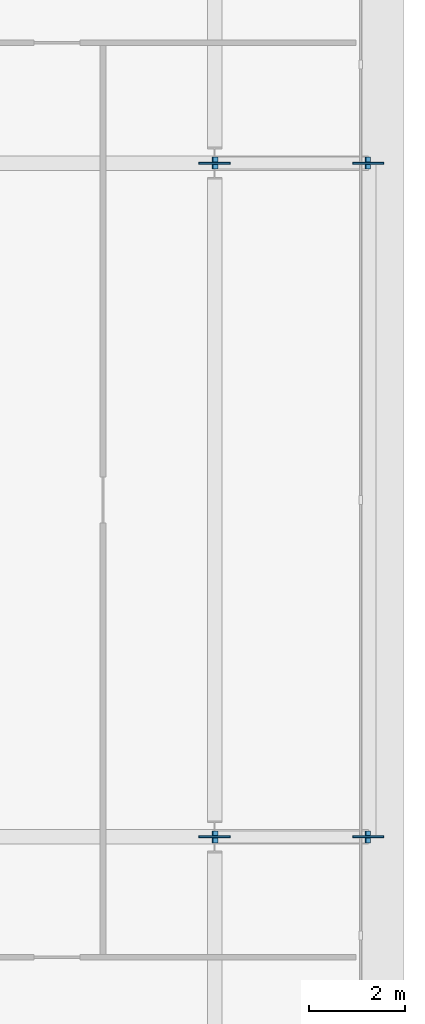
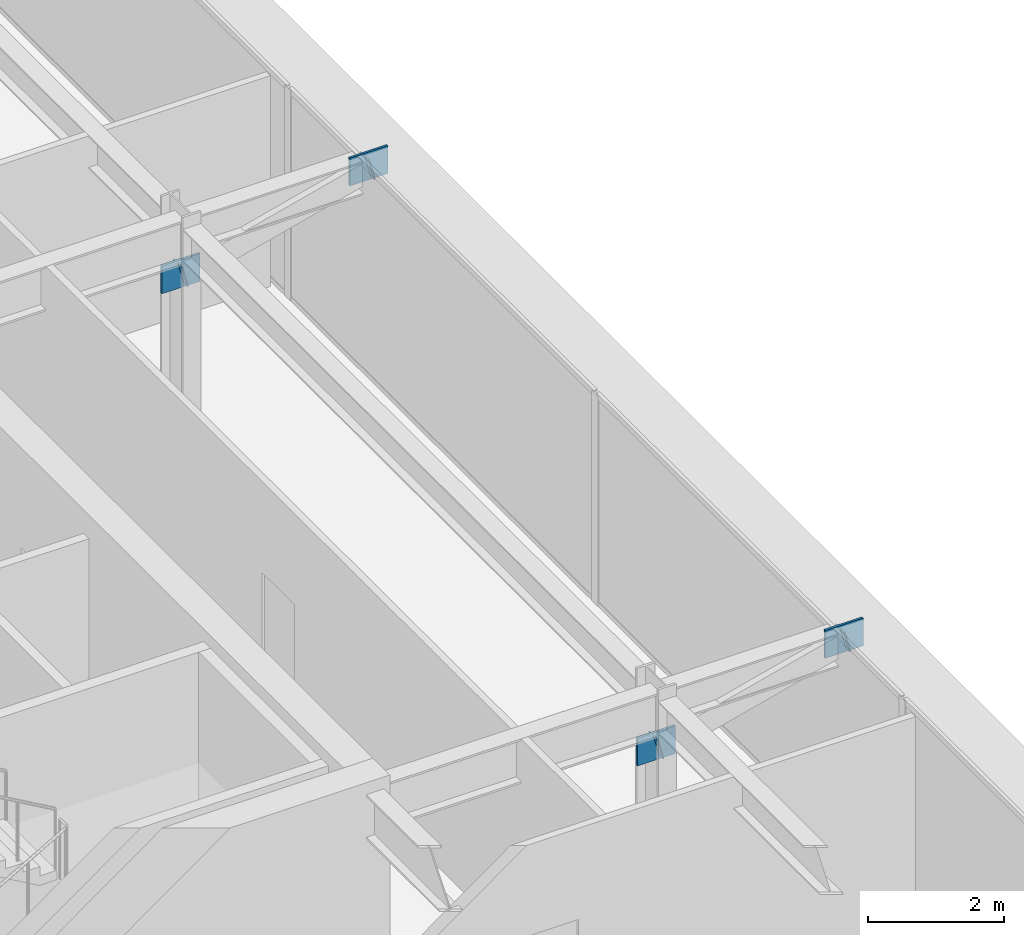
# One storey, part 12 of 20: 8 plates.
"""IFC4 building model written with IfcOpenShell, lengths in metres."""

import ifcopenshell
import ifcopenshell.guid

model = None  # the IFC model being written
_history = None  # IfcOwnerHistory: only IFC2X3 demands one
_inside = {}  # id of a spatial element -> (the spatial element, [elements in it])
_under = {}  # id of a project, library or spatial element -> (it, [spatial elements below it])
_declared = {}  # id of a project -> (the project, [libraries it declares])
_typed = {}  # id of a type object -> (the type object, [elements of that type])
_made_of = {}  # id of a material, layer set ... -> (it, [elements and type objects made of it])


def new_model(schema):
    """Start an empty IFC model of exactly this schema.

    Asked for "IFC4X3", IfcOpenShell would pick the latest addendum, in which some entities
    have other attributes; the version numbers below select the first issue.
    IFC2X3 requires an IfcOwnerHistory on every rooted entity: one is made here for all.
    """
    global model, _history
    if schema == "IFC4X3":
        model = ifcopenshell.file(schema_version=(4, 3, 0, 0))
    else:
        model = ifcopenshell.file(schema=schema)
    _inside.clear()
    _under.clear()
    _declared.clear()
    _typed.clear()
    _made_of.clear()
    _history = None
    if model.schema == "IFC2X3":
        org = make("IfcOrganization", Name="unknown")
        user = make(
            "IfcPersonAndOrganization",
            ThePerson=make("IfcPerson", FamilyName="unknown"),
            TheOrganization=org,
        )
        app = make(
            "IfcApplication",
            ApplicationDeveloper=org,
            Version="unknown",
            ApplicationFullName="unknown",
            ApplicationIdentifier="unknown",
        )
        _history = make(
            "IfcOwnerHistory",
            OwningUser=user,
            OwningApplication=app,
            ChangeAction="ADDED",
            CreationDate=0,
        )
    return model


def make(cls, **values):
    """One entity of the class cls with the attributes given. An attribute that is None is left unset."""
    return model.create_entity(
        cls, **{name: value for name, value in values.items() if value is not None}
    )


def rooted(cls, **values):
    """An entity with a GlobalId (a new one), such as an element, a storey or a relation."""
    return make(cls, GlobalId=ifcopenshell.guid.new(), OwnerHistory=_history, **values)


def si_unit(unit_type, name, prefix=None):
    """IfcSIUnit, for example si_unit("LENGTHUNIT", "METRE", prefix="MILLI")."""
    return make("IfcSIUnit", UnitType=unit_type, Prefix=prefix, Name=name)


def assignment(units):
    """IfcUnitAssignment: the units of a project."""
    return None if units is None else make("IfcUnitAssignment", Units=units)


def point(xyz):
    """IfcCartesianPoint."""
    return None if xyz is None else make("IfcCartesianPoint", Coordinates=xyz)


def direction(xyz):
    """IfcDirection."""
    return None if xyz is None else make("IfcDirection", DirectionRatios=xyz)


def frame(location, z_axis=None, x_axis=None):
    """IfcAxis2Placement3D, a coordinate frame: its origin and axes. An axis left out is left unset."""
    return make(
        "IfcAxis2Placement3D",
        Location=point(location),
        Axis=direction(z_axis),
        RefDirection=direction(x_axis),
    )


def frame_2d(location, x_axis=None):
    """IfcAxis2Placement2D, a coordinate frame in the plane: its origin and x axis."""
    return make(
        "IfcAxis2Placement2D", Location=point(location), RefDirection=direction(x_axis)
    )


def origin():
    """The frame at (0, 0, 0) with its axes left unset."""
    return frame((0.0, 0.0, 0.0))


def origin_2d():
    """The frame at (0, 0) in the plane with its x axis left unset."""
    return frame_2d((0.0, 0.0))


def place(relative_to, where):
    """IfcLocalPlacement: puts the frame where relative to a parent placement (None: the world)."""
    return make(
        "IfcLocalPlacement", PlacementRelTo=relative_to, RelativePlacement=where
    )


def context(
    kind, dimensions, precision=None, world=None, true_north=None, identifier=None
):
    """IfcGeometricRepresentationContext, for example the 3D "Model" context."""
    return make(
        "IfcGeometricRepresentationContext",
        ContextIdentifier=identifier,
        ContextType=kind,
        CoordinateSpaceDimension=dimensions,
        Precision=precision,
        WorldCoordinateSystem=world,
        TrueNorth=true_north,
    )


def subcontext(parent, identifier, kind, view, scale=None):
    """IfcGeometricRepresentationSubContext, for example "Body" below "Model"."""
    return make(
        "IfcGeometricRepresentationSubContext",
        ContextIdentifier=identifier,
        ContextType=kind,
        ParentContext=parent,
        TargetScale=scale,
        TargetView=view,
    )


def project(units=None, contexts=None):
    """IfcProject with its units and contexts."""
    return rooted(
        "IfcProject",
        Name="project",
        RepresentationContexts=contexts,
        UnitsInContext=assignment(units),
    )


def spatial(cls, under=None, at=None, **own):
    """A site, building, storey or space (cls), placed at a placement, below another one or the project."""
    s = rooted(cls, ObjectPlacement=at, **own)
    if under is not None:
        _under.setdefault(under.id(), (under, []))[1].append(s)
    return s


def profile(cls, at=None, kind="AREA", **sizes):
    """A parametric profile (cls). Its sizes go by their IFC names, for example OverallWidth=200.0."""
    return make(cls, ProfileType=kind, Position=at, **sizes)


def rectangle(**sizes):
    """IfcRectangleProfileDef."""
    return profile("IfcRectangleProfileDef", **sizes)


def extrude(swept, where, along, depth):
    """IfcExtrudedAreaSolid: the profile swept, set in the frame where, extruded along a direction by depth."""
    return make(
        "IfcExtrudedAreaSolid",
        SweptArea=swept,
        Position=where,
        ExtrudedDirection=direction(along),
        Depth=depth,
    )


def shape(context_of_items, identifier, shape_type, items):
    """IfcShapeRepresentation: the items that make up one representation, for example the "Body"."""
    return make(
        "IfcShapeRepresentation",
        ContextOfItems=context_of_items,
        RepresentationIdentifier=identifier,
        RepresentationType=shape_type,
        Items=items,
    )


def material(Name=None, Category=None):
    """IfcMaterial."""
    return make("IfcMaterial", Name=Name, Category=Category)


def layer(
    of_material, thickness, ventilated=None, Name=None, Category=None, Priority=None
):
    """IfcMaterialLayer: one layer of a wall or slab, of a material (None: an air gap)."""
    return make(
        "IfcMaterialLayer",
        Material=of_material,
        LayerThickness=thickness,
        IsVentilated=ventilated,
        Name=Name,
        Category=Category,
        Priority=Priority,
    )


def layer_set(layers, Name=None):
    """IfcMaterialLayerSet."""
    return make("IfcMaterialLayerSet", MaterialLayers=layers, LayerSetName=Name)


def made_of(thing, what):
    """Note that an element or type object is made of a material, layer set ...; save() writes the relation."""
    if what is not None:
        _made_of.setdefault(what.id(), (what, []))[1].append(thing)
    return thing


def type_object(cls, material=None, **own):
    """A type object (cls), such as IfcWallType, which elements share."""
    return made_of(rooted(cls, **own), material)


def element(
    cls,
    number,
    at=None,
    inside=None,
    cuts=None,
    type_object=None,
    material=None,
    context=None,
    identifier="Body",
    shape_type=None,
    held_by="IfcProductDefinitionShape",
    body=None,
    shapes=None,
    **own,
):
    """One element of the class cls, such as IfcWall. Its Tag is "e" and its number.

    at: its placement. inside: the storey or other place that contains it. cuts: it is an
    opening in that element (IfcRelVoidsElement). A single representation is given by context,
    identifier, shape_type and body (its items); several are given by shapes. held_by: the class
    of the entity that holds the representations. save() writes the other relations.
    """
    e = rooted(cls, Tag="e%d" % number, ObjectPlacement=at, **own)
    if body is not None:
        shapes = [shape(context, identifier, shape_type, body)]
    if shapes is not None:
        e.Representation = make(held_by, Representations=shapes)
    if inside is not None:
        _inside.setdefault(inside.id(), (inside, []))[1].append(e)
    if cuts is not None:
        rooted(
            "IfcRelVoidsElement", RelatingBuildingElement=cuts, RelatedOpeningElement=e
        )
    if type_object is not None:
        _typed.setdefault(type_object.id(), (type_object, []))[1].append(e)
    return made_of(e, material)


def aggregate(whole, parts):
    """IfcRelAggregates: a whole, such as a stair, and the parts it consists of."""
    return rooted("IfcRelAggregates", RelatingObject=whole, RelatedObjects=parts)


def save(model, path):
    """Write the relations noted so far, then the file.

    IfcRelAggregates (storeys below a building ...), IfcRelContainedInSpatialStructure (elements
    in a storey), IfcRelDefinesByType, IfcRelAssociatesMaterial and IfcRelDeclares: one each for
    every whole, place, type object, material and project.
    """
    for whole, parts in _under.values():
        aggregate(whole, parts)
    for where, things in _inside.values():
        rooted(
            "IfcRelContainedInSpatialStructure",
            RelatedElements=things,
            RelatingStructure=where,
        )
    for kind, things in _typed.values():
        rooted("IfcRelDefinesByType", RelatedObjects=things, RelatingType=kind)
    for what, things in _made_of.values():
        rooted("IfcRelAssociatesMaterial", RelatedObjects=things, RelatingMaterial=what)
    for by, libraries in _declared.values():
        rooted("IfcRelDeclares", RelatingContext=by, RelatedDefinitions=libraries)
    model.write(path)


model = new_model("IFC4")

# Units and contexts
model_context = context("Model", 3, precision=1e-05, world=origin(), true_north=direction((0.0, 1.0)))
body_context = subcontext(model_context, "Body", "Model", "MODEL_VIEW")
ifc_project = project(units=[si_unit("LENGTHUNIT", "METRE"), si_unit("AREAUNIT", "SQUARE_METRE"), si_unit("VOLUMEUNIT", "CUBIC_METRE"), si_unit("PLANEANGLEUNIT", "RADIAN"), si_unit("MASSUNIT", "GRAM", prefix="KILO")], contexts=[model_context])

# Site, building, storey
site_placement = place(None, origin())
site = spatial("IfcSite", under=ifc_project, at=site_placement, CompositionType="ELEMENT")
building_placement = place(site_placement, origin())
building = spatial("IfcBuilding", under=site, at=building_placement, Name="Putna Gate Headquarters", CompositionType="ELEMENT")
storey_placement = place(building_placement, frame((0.0, 0.0, 286.39990234375)))
storey = spatial("IfcBuildingStorey", under=building, at=storey_placement, Name="L72", CompositionType="ELEMENT", Elevation=286.39990234375)

# Plates
ifc_material_1 = material(Name="Steel S355J2", Category="steel")
ifc_layer_1 = layer(ifc_material_1, 0.02001953125)
ifc_layer_set_1 = layer_set([ifc_layer_1], Name="Steel S355J2")
plate_type_1 = type_object("IfcPlateType", Name="PLT-CAP-EC-R400", PredefinedType="SHEET", material=ifc_layer_set_1)
for number, where, z_axis, x_axis, name in (
    (1, (69.9150390625, 19.0, 2.75), (0.966437683387, 0.0, 0.256901156343), (0.0, 1.0, 0.0), "L72 East Sail Cantilever Raker Y19 End Cap Start"),
    (2, (73.090576171875, 19.0, 3.563232421875), (0.970142500145, 0.0, 0.242535625036), (0.0, 1.0, 0.0), "L72 East Sail Cantilever Raker Y19 End Cap End"),
    (3, (69.9150390625, 33.0, 2.75), (0.966437683387, 0.0, 0.256901156343), (0.0, 1.0, 0.0), "L72 East Sail Cantilever Raker Y33 End Cap Start"),
    (4, (73.090576171875, 33.0, 3.563232421875), (0.970142500145, 0.0, 0.242535625036), (0.0, 1.0, 0.0), "L72 East Sail Cantilever Raker Y33 End Cap End"),
):
    element("IfcPlate", number, at=place(storey_placement, frame(where, z_axis=z_axis, x_axis=x_axis)), inside=storey, type_object=plate_type_1, Name=name, PredefinedType="SHEET", context=body_context, shape_type="SweptSolid", body=[
        extrude(rectangle(XDim=0.25, YDim=0.39990234375, at=origin_2d()), origin(), (0.0, 0.0, 1.0), 0.02001953125),
    ])
ifc_material_2 = material(Name="Steel S460M", Category="steel")
ifc_layer_2 = layer(ifc_material_2, 0.0380859375)
ifc_layer_set_2 = layer_set([ifc_layer_2], Name="Steel S460M")
plate_type_2 = type_object("IfcPlateType", Name="PLT-NODE-TN1", PredefinedType="SHEET", material=ifc_layer_set_2)
for number, where, z_axis, x_axis, name in (
    (5, (69.9150390625, 19.0, 2.5), (0.0, 0.0, 1.0), (1.0, 0.0, 0.0), "L72 Sail Raker Node Plate TN1 Y19-1"),
    (6, (73.110107421875, 19.0, 3.318115234375), (0.0, 0.0, 1.0), (1.0, 0.0, 0.0), "L72 Sail Raker Node Plate TN1 Y19-2"),
    (7, (69.9150390625, 33.0, 2.5), (0.0, 0.0, 1.0), (1.0, 0.0, 0.0), "L72 Sail Raker Node Plate TN1 Y33-1"),
    (8, (73.110107421875, 33.0, 3.318115234375), (0.0, 0.0, 1.0), (1.0, 0.0, 0.0), "L72 Sail Raker Node Plate TN1 Y33-2"),
):
    element("IfcPlate", number, at=place(storey_placement, frame(where, z_axis=z_axis, x_axis=x_axis)), inside=storey, type_object=plate_type_2, Name=name, PredefinedType="SHEET", context=body_context, shape_type="SweptSolid", body=[
        extrude(rectangle(XDim=0.64990234375, YDim=0.0380859375, at=origin_2d()), origin(), (0.0, 0.0, 1.0), 0.5),
    ])

save(model, "model.ifc")
